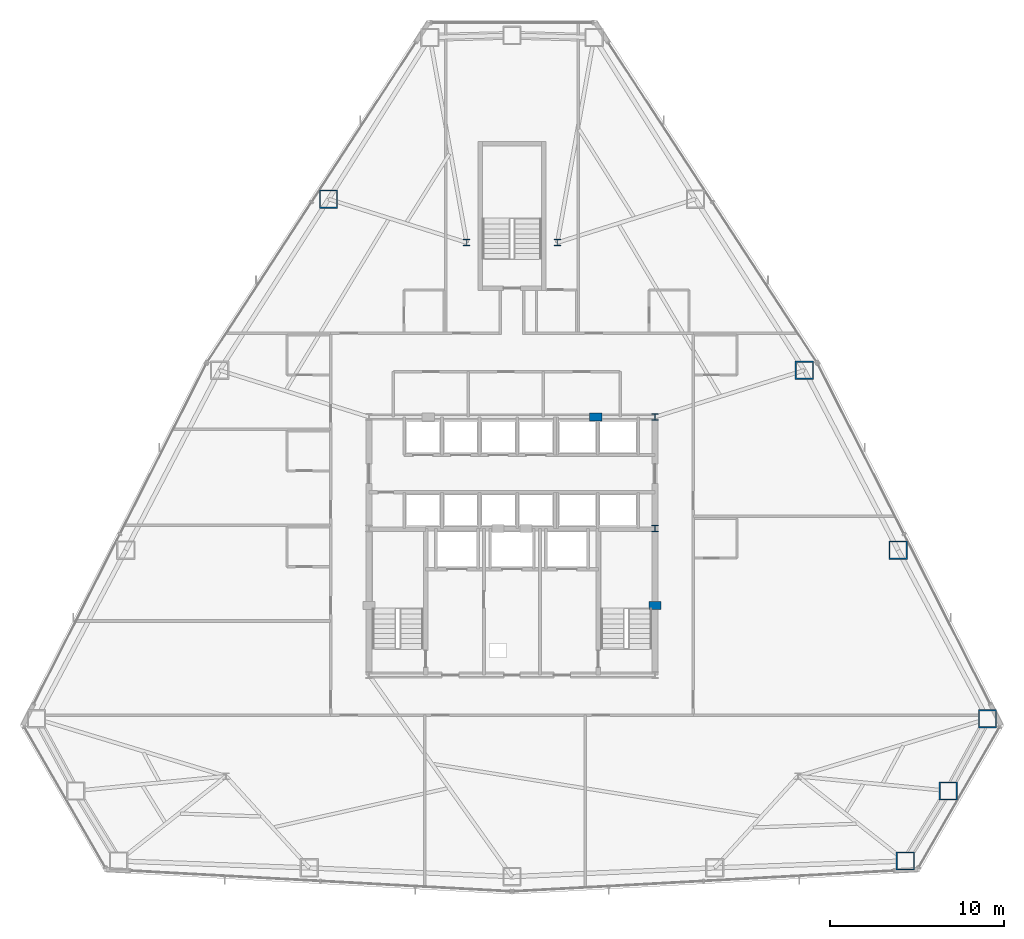
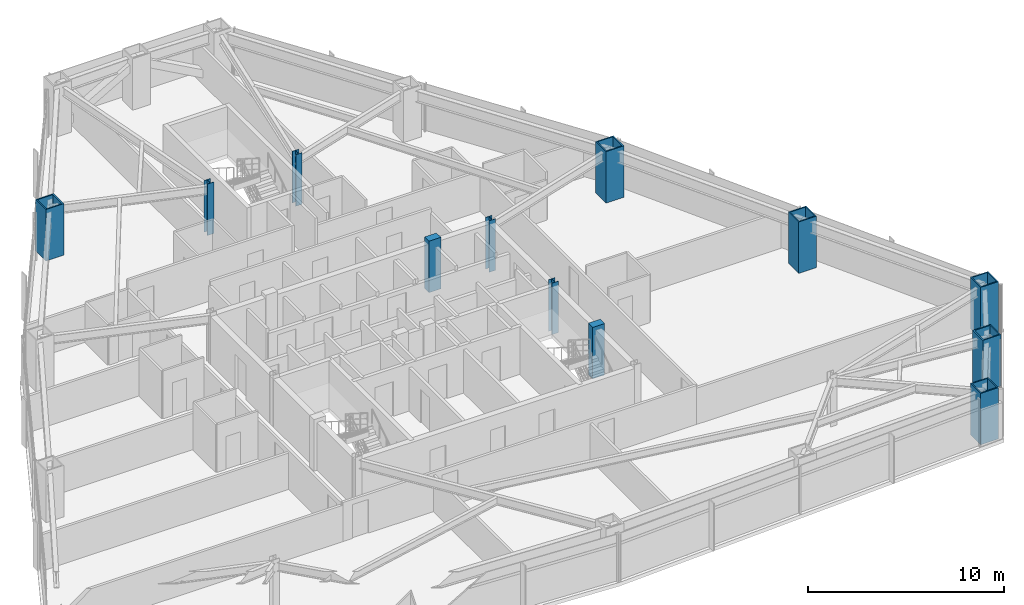
# One storey, part 2 of 12: 12 columns.
"""IFC4 building model written with IfcOpenShell, lengths in metres."""

from ifc_helpers import new_model, si_unit, direction, frame, origin, origin_2d, place, context, subcontext, project, spatial, rectangle, hollow_rectangle, i_section, extrude, material, material_profile, profile_set, type_object, element, save


model = new_model("IFC4")

# Units and contexts
model_context = context("Model", 3, precision=1e-05, world=origin(), true_north=direction((0.0, 1.0)))
body_context = subcontext(model_context, "Body", "Model", "MODEL_VIEW")
ifc_project = project(units=[si_unit("LENGTHUNIT", "METRE"), si_unit("AREAUNIT", "SQUARE_METRE"), si_unit("VOLUMEUNIT", "CUBIC_METRE"), si_unit("PLANEANGLEUNIT", "RADIAN"), si_unit("MASSUNIT", "GRAM", prefix="KILO")], contexts=[model_context])

# Site, building, storey
site_placement = place(None, origin())
site = spatial("IfcSite", under=ifc_project, at=site_placement, CompositionType="ELEMENT")
building_placement = place(site_placement, origin())
building = spatial("IfcBuilding", under=site, at=building_placement, Name="Varakhsha Concourse Tower", CompositionType="ELEMENT")
storey_placement = place(building_placement, frame((0.0, 0.0, 73.39990234375)))
storey = spatial("IfcBuildingStorey", under=building, at=storey_placement, Name="L20", CompositionType="ELEMENT", Elevation=73.39990234375)

# Columns
ifc_material_1 = material(Name="Structural Steel ASTM A992 Grade 50", Category="steel")
ifc_material_profile_1 = material_profile(ifc_material_1, i_section(OverallWidth=0.3740234375, OverallDepth=0.3720703125, WebThickness=0.01611328125, FlangeThickness=0.02587890625, at=origin_2d()), Name="W14X132")
ifc_profile_set_1 = profile_set([ifc_material_profile_1], Name="Structural Steel ASTM A992 Grade 50")
column_type_1 = type_object("IfcColumnType", Name="CL-CORE-W14X132", PredefinedType="COLUMN", material=ifc_profile_set_1)
for number, where, z_axis, x_axis, name in (
    (1, (48.199951171875, 24.800048828125, 0.0), (0.0, 0.0, 1.0), (1.0, 0.0, 0.0), "L20 Core Column CC-ME"),
    (2, (48.199951171875, 31.199951171875, 0.0), (0.0, 0.0, 1.0), (1.0, 0.0, 0.0), "L20 Core Column CC-NE"),
    (3, (37.39990234375, 41.199951171875, 0.0), (0.0, 0.0, 1.0), (1.0, 0.0, 0.0), "L20 Core Column NS-W"),
    (4, (42.60009765625, 41.199951171875, 0.0), (0.0, 0.0, 1.0), (1.0, 0.0, 0.0), "L20 Core Column NS-E"),
):
    element("IfcColumn", number, at=place(storey_placement, frame(where, z_axis=z_axis, x_axis=x_axis)), inside=storey, type_object=column_type_1, Name=name, PredefinedType="COLUMN", context=body_context, shape_type="SweptSolid", body=[
        extrude(i_section(OverallWidth=0.3740234375, OverallDepth=0.3720703125, WebThickness=0.01611328125, FlangeThickness=0.02587890625, at=origin_2d()), origin(), (0.0, 0.0, 1.0), 3.2001953125),
    ])
ifc_material_2 = material(Name="Concrete fc 65 MPa", Category="concrete")
ifc_material_profile_2 = material_profile(ifc_material_2, rectangle(XDim=0.699951171875, YDim=0.449951171875, at=origin_2d()), Name="RC 700x450")
ifc_profile_set_2 = profile_set([ifc_material_profile_2], Name="Concrete fc 65 MPa")
column_type_2 = type_object("IfcColumnType", Name="CL-PIL-700X450", PredefinedType="PILASTER", material=ifc_profile_set_2)
for number, where, z_axis, x_axis, name in (
    (5, (48.199951171875, 20.39990234375, 0.0), (0.0, 0.0, 1.0), (1.0, 0.0, 0.0), "L20 Core Boundary Pilaster PIL-E1"),
    (6, (44.800048828125, 31.199951171875, 0.0), (0.0, 0.0, 1.0), (1.0, 0.0, 0.0), "L20 Core Boundary Pilaster PIL-N2"),
):
    element("IfcColumn", number, at=place(storey_placement, frame(where, z_axis=z_axis, x_axis=x_axis)), inside=storey, type_object=column_type_2, Name=name, PredefinedType="PILASTER", context=body_context, shape_type="SweptSolid", body=[
        extrude(rectangle(XDim=0.699951171875, YDim=0.449951171875, at=origin_2d()), origin(), (0.0, 0.0, 1.0), 3.2001953125),
    ])
ifc_material_3 = material(Name="Structural Steel ASTM A572 Grade 50", Category="steel")
ifc_material_profile_3 = material_profile(ifc_material_3, hollow_rectangle(XDim=1.050048828125, YDim=1.050048828125, WallThickness=0.070068359375, at=origin_2d()), Name="BOX 1050x1050x70")
ifc_profile_set_3 = profile_set([ifc_material_profile_3], Name="Structural Steel ASTM A572 Grade 50")
column_type_3 = type_object("IfcColumnType", Name="CL-TUBE-1050", PredefinedType="COLUMN", material=ifc_profile_set_3)
for number, where, z_axis, x_axis, name in (
    (7, (29.481689453125, 43.6923828125, 0.0), (0.0, 0.0, 1.0), (1.0, 0.0, 0.0), "L20 Framed-Tube Column TC04"),
    (8, (62.55615234375, 5.740966796875, 0.0), (0.0, 0.0, 1.0), (1.0, 0.0, 0.0), "L20 Framed-Tube Column TC13"),
    (9, (65.012939453125, 9.7587890625, 0.0), (0.0, 0.0, 1.0), (1.0, 0.0, 0.0), "L20 Framed-Tube Column TC14"),
    (10, (67.26416015625, 13.8955078125, 0.0), (0.0, 0.0, 1.0), (1.0, 0.0, 0.0), "L20 Framed-Tube Column TC15"),
    (11, (62.14013671875, 23.562744140625, 0.0), (0.0, 0.0, 1.0), (1.0, 0.0, 0.0), "L20 Framed-Tube Column TC16"),
    (12, (56.762939453125, 33.878173828125, 0.0), (0.0, 0.0, 1.0), (1.0, 0.0, 0.0), "L20 Framed-Tube Column TC17"),
):
    element("IfcColumn", number, at=place(storey_placement, frame(where, z_axis=z_axis, x_axis=x_axis)), inside=storey, type_object=column_type_3, Name=name, PredefinedType="COLUMN", context=body_context, shape_type="SweptSolid", body=[
        extrude(hollow_rectangle(XDim=1.050048828125, YDim=1.050048828125, WallThickness=0.070068359375, at=origin_2d()), origin(), (0.0, 0.0, 1.0), 3.2001953125),
    ])

save(model, "model.ifc")
